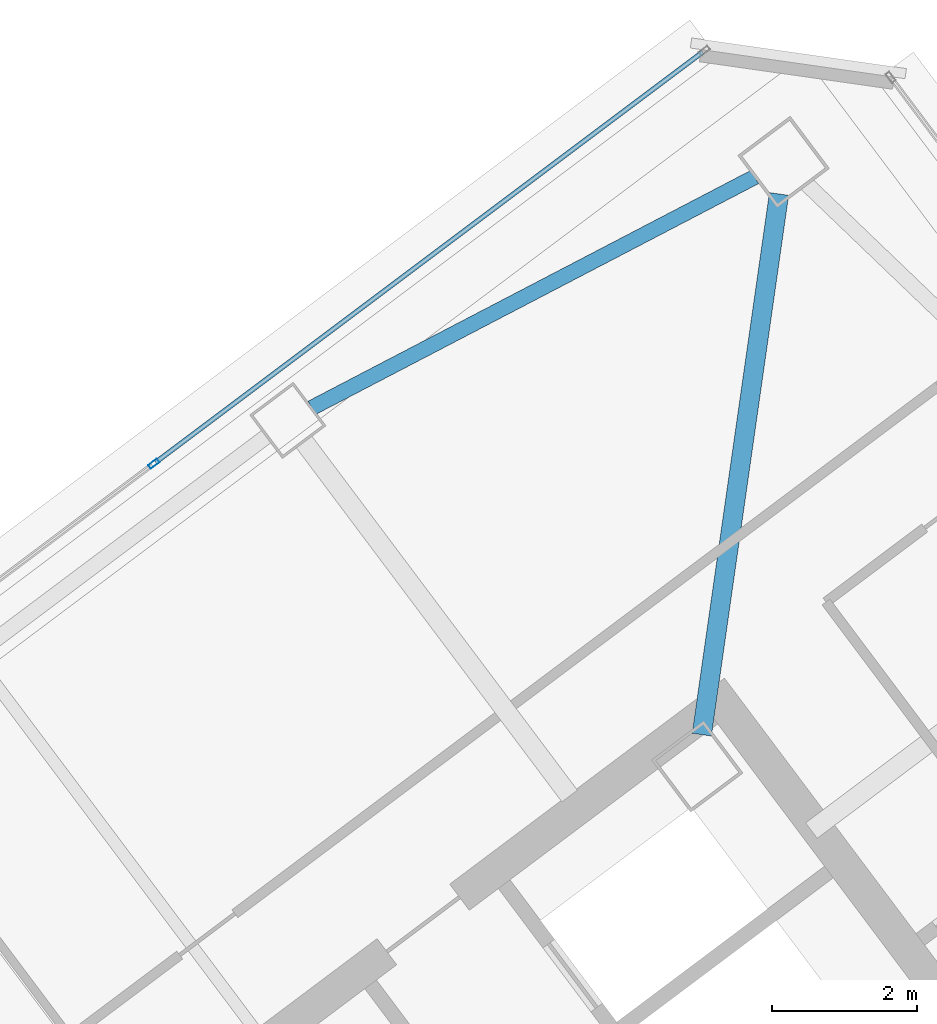
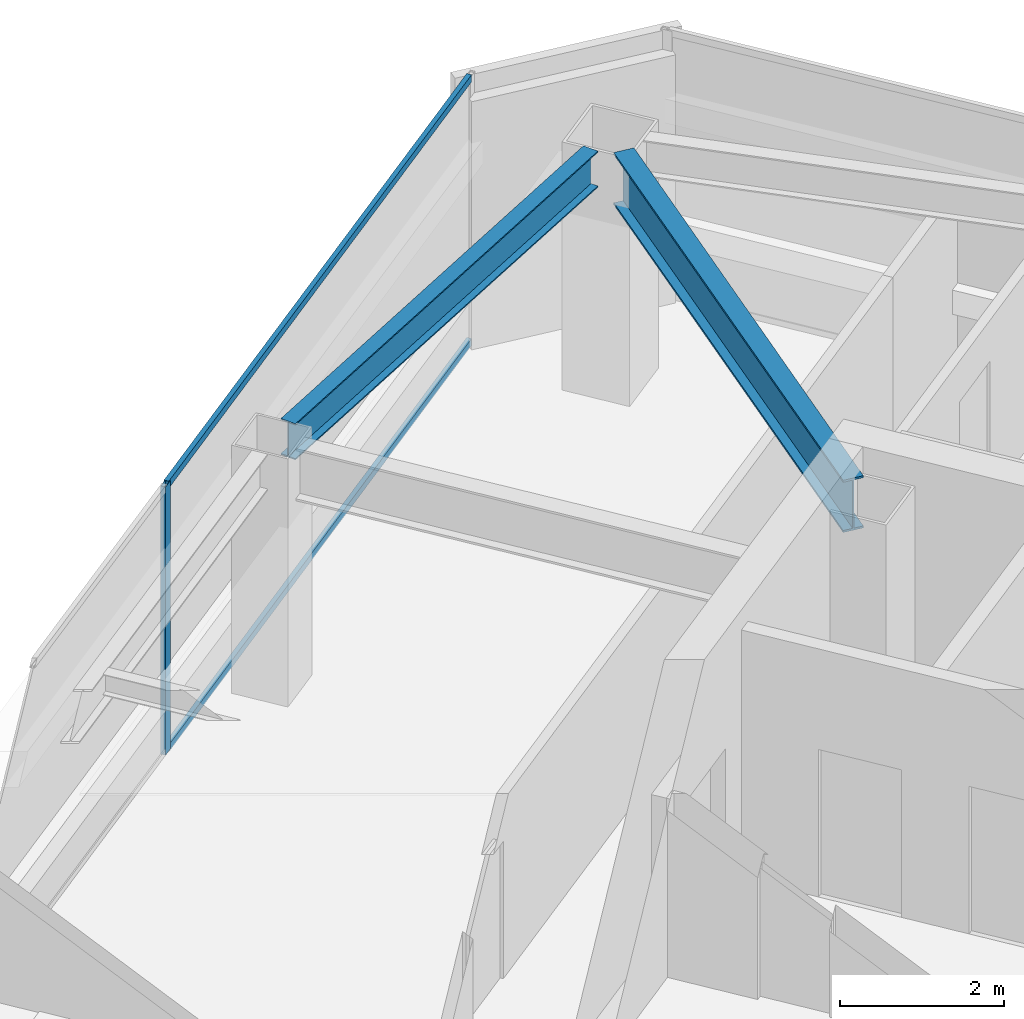
# One storey, part 36 of 51: 3 members, 2 beams, 1 element without a shape of its own.
"""IFC4 building model written with IfcOpenShell, lengths in metres."""

from ifc_helpers import new_model, si_unit, direction, frame, origin, origin_2d, place, context, subcontext, project, spatial, hollow_rectangle, i_section, extrude, material, material_profile, profile_set, type_object, element, aggregate, save


model = new_model("IFC4")

# Units and contexts
model_context = context("Model", 3, precision=1e-05, world=origin(), true_north=direction((0.0, 1.0)))
body_context = subcontext(model_context, "Body", "Model", "MODEL_VIEW")
ifc_project = project(units=[si_unit("LENGTHUNIT", "METRE"), si_unit("AREAUNIT", "SQUARE_METRE"), si_unit("VOLUMEUNIT", "CUBIC_METRE"), si_unit("PLANEANGLEUNIT", "RADIAN"), si_unit("MASSUNIT", "GRAM", prefix="KILO")], contexts=[model_context])

# Site, building, storey
site_placement = place(None, origin())
site = spatial("IfcSite", under=ifc_project, at=site_placement, CompositionType="ELEMENT")
building_placement = place(site_placement, origin())
building = spatial("IfcBuilding", under=site, at=building_placement, Name="Tashvorn Skyway Center", CompositionType="ELEMENT")
storey_placement = place(building_placement, frame((0.0, 0.0, 259.39990234375)))
storey = spatial("IfcBuildingStorey", under=building, at=storey_placement, Name="L70", CompositionType="ELEMENT", Elevation=259.39990234375)

# Beams
ifc_material_1 = material(Name="Steel ASTM A992 Grade 50", Category="steel")
ifc_material_profile_1 = material_profile(ifc_material_1, i_section(OverallWidth=0.26708984375, OverallDepth=0.779052734375, WebThickness=0.0166015625, FlangeThickness=0.030029296875, at=origin_2d()), Name="W30X148")
ifc_profile_set_1 = profile_set([ifc_material_profile_1], Name="Steel ASTM A992 Grade 50")
beam_type_1 = type_object("IfcBeamType", Name="BM-BEAM-W30X148", PredefinedType="BEAM", material=ifc_profile_set_1)
beam_1_placement = place(storey_placement, frame((116.537109375, 49.759521484375, 3.310546875), z_axis=(-0.141430441004, -0.989948195795, 0.0), x_axis=(0.989948195795, -0.141430441004, 0.0)))
element("IfcBeam", 1, at=beam_1_placement, inside=storey, type_object=beam_type_1, Name="Tower 2 L70 Primary Floor Girder MC-NE", PredefinedType="BEAM", context=body_context, shape_type="SweptSolid", body=[
    extrude(i_section(OverallWidth=0.26708984375, OverallDepth=0.779052734375, WebThickness=0.0166015625, FlangeThickness=0.030029296875, at=origin_2d()), origin(), (0.0, 0.0, 1.0), 7.524658203125),
])
ifc_material_profile_2 = material_profile(ifc_material_1, i_section(OverallWidth=0.2109375, OverallDepth=0.5390625, WebThickness=0.01171875, FlangeThickness=0.018798828125, at=origin_2d()), Name="W21X73")
ifc_profile_set_2 = profile_set([ifc_material_profile_2], Name="Steel ASTM A992 Grade 50")
beam_type_2 = type_object("IfcBeamType", Name="BM-SPANDREL-W21X73", PredefinedType="SPANDREL", material=ifc_profile_set_2)
beam_2_placement = place(storey_placement, frame((116.205322265625, 49.994384765625, 3.4306640625), z_axis=(-0.886763659136, -0.462223120187, 0.0), x_axis=(0.462223120187, -0.886763659136, 0.0)))
element("IfcBeam", 2, at=beam_2_placement, inside=storey, type_object=beam_type_2, Name="Tower 2 L70 Spandrel Beam 07", PredefinedType="SPANDREL", context=body_context, shape_type="SweptSolid", body=[
    extrude(i_section(OverallWidth=0.2109375, OverallDepth=0.5390625, WebThickness=0.01171875, FlangeThickness=0.018798828125, at=origin_2d()), origin(), (0.0, 0.0, 1.0), 6.886962890625),
])

# Curtain wall, members
ifc_material_2 = material(Name="Thermally broken bronze-anodized aluminium 6063-T6", Category="aluminium")
curtain_wall_type = type_object("IfcCurtainWallType", Name="CW-CW-SKY", PredefinedType="NOTDEFINED", material=ifc_material_2)
curtain_wall_placement = place(storey_placement, origin())
curtain_wall = element("IfcCurtainWall", 3, at=curtain_wall_placement, inside=storey, type_object=curtain_wall_type, Name="Tower 2 L70 North Curtain Wall B", PredefinedType="NOTDEFINED")
ifc_material_profile_3 = material_profile(ifc_material_2, hollow_rectangle(XDim=0.06494140625, YDim=0.14990234375, WallThickness=0.00390625, at=origin_2d()), Name="ALU-MULL-65x150")
ifc_profile_set_3 = profile_set([ifc_material_profile_3], Name="Thermally broken bronze-anodized aluminium 6063-T6")
member_type_1 = type_object("IfcMemberType", Name="CWM-CW-SKY", PredefinedType="MULLION", material=ifc_profile_set_3)
member_1_placement = place(storey_placement, frame((107.924072265625, 46.04296875, 0.0), z_axis=(0.0, 0.0, 1.0), x_axis=(-0.600000000002, 0.799999999998, 0.0)))
member_1 = element("IfcMember", 4, at=member_1_placement, type_object=member_type_1, Name="CW-SKY mullion 2", PredefinedType="MULLION", context=body_context, shape_type="SweptSolid", body=[
    extrude(hollow_rectangle(XDim=0.06494140625, YDim=0.14990234375, WallThickness=0.00390625, at=origin_2d()), origin(), (0.0, 0.0, 1.0), 4.0),
])
ifc_material_profile_4 = material_profile(ifc_material_2, hollow_rectangle(XDim=0.06494140625, YDim=0.10498046875, WallThickness=0.00390625, at=origin_2d()), Name="ALU-TRAN-65x105")
ifc_profile_set_4 = profile_set([ifc_material_profile_4], Name="Thermally broken bronze-anodized aluminium 6063-T6")
member_type_2 = type_object("IfcMemberType", Name="CWT-CW-SKY", PredefinedType="USERDEFINED", material=ifc_profile_set_4)
member_2_placement = place(storey_placement, frame((107.949951171875, 46.0625, 0.03271484375), z_axis=(0.800003110925, 0.599995852077, 0.0), x_axis=(-0.599995852077, 0.800003110925, 0.0)))
member_2 = element("IfcMember", 5, at=member_2_placement, type_object=member_type_2, Name="CW-SKY transom 2.1", ObjectType="TRANSOM", PredefinedType="USERDEFINED", context=body_context, shape_type="SweptSolid", body=[
    extrude(hollow_rectangle(XDim=0.06494140625, YDim=0.10498046875, WallThickness=0.00390625, at=origin_2d()), origin(), (0.0, 0.0, 1.0), 9.41748046875),
])
member_3_placement = place(storey_placement, frame((107.949951171875, 46.0625, 3.967529296875), z_axis=(0.800003110925, 0.599995852077, 0.0), x_axis=(-0.599995852077, 0.800003110925, 0.0)))
member_3 = element("IfcMember", 6, at=member_3_placement, type_object=member_type_2, Name="CW-SKY transom 2.2", ObjectType="TRANSOM", PredefinedType="USERDEFINED", context=body_context, shape_type="SweptSolid", body=[
    extrude(hollow_rectangle(XDim=0.06494140625, YDim=0.10498046875, WallThickness=0.00390625, at=origin_2d()), origin(), (0.0, 0.0, 1.0), 9.41748046875),
])
aggregate(curtain_wall, [member_1, member_2, member_3])

save(model, "model.ifc")
